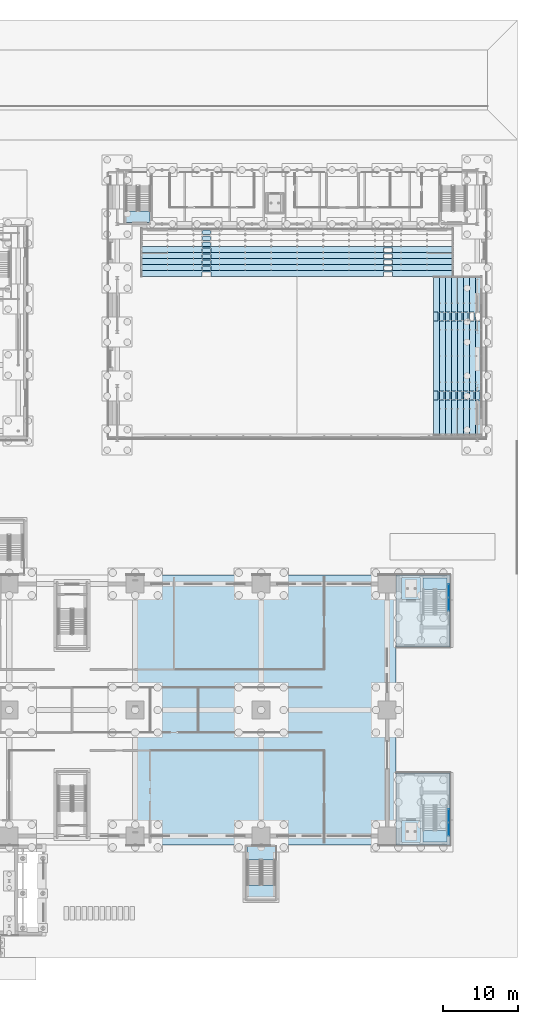
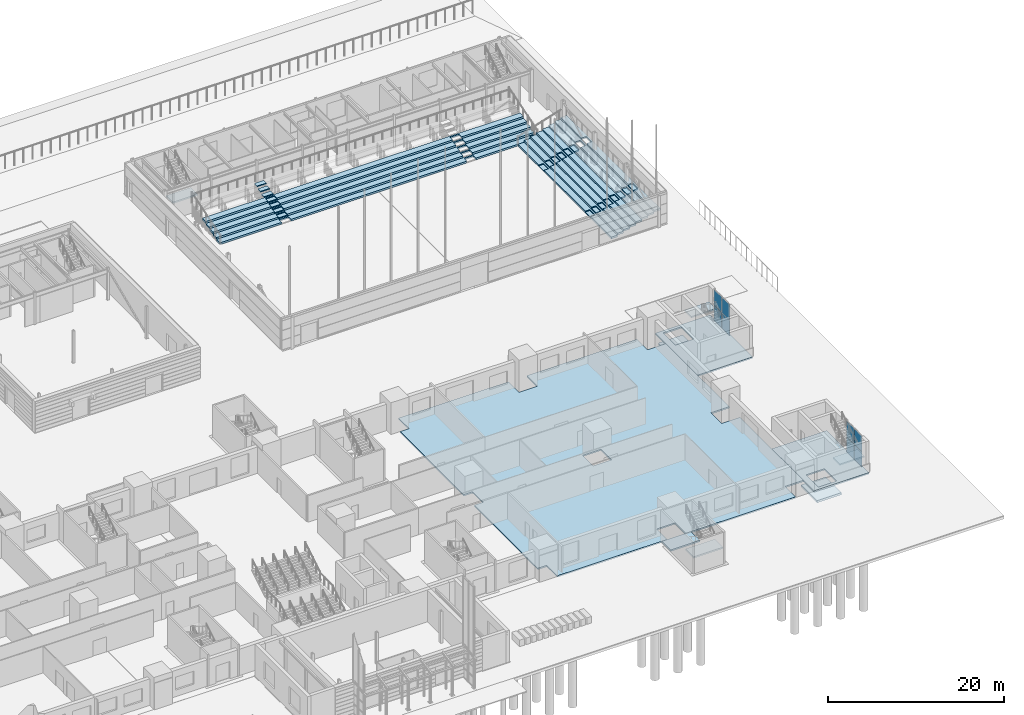
# One storey, part 75 of 139: 44 slabs, 8 plates, 6 elements without a shape of their own.
"""IFC4 building model written with IfcOpenShell, lengths in metres."""

import ifcopenshell
import ifcopenshell.guid

model = None  # the IFC model being written
_history = None  # IfcOwnerHistory: only IFC2X3 demands one
_inside = {}  # id of a spatial element -> (the spatial element, [elements in it])
_under = {}  # id of a project, library or spatial element -> (it, [spatial elements below it])
_declared = {}  # id of a project -> (the project, [libraries it declares])
_typed = {}  # id of a type object -> (the type object, [elements of that type])
_made_of = {}  # id of a material, layer set ... -> (it, [elements and type objects made of it])


def new_model(schema):
    """Start an empty IFC model of exactly this schema.

    Asked for "IFC4X3", IfcOpenShell would pick the latest addendum, in which some entities
    have other attributes; the version numbers below select the first issue.
    IFC2X3 requires an IfcOwnerHistory on every rooted entity: one is made here for all.
    """
    global model, _history
    if schema == "IFC4X3":
        model = ifcopenshell.file(schema_version=(4, 3, 0, 0))
    else:
        model = ifcopenshell.file(schema=schema)
    _inside.clear()
    _under.clear()
    _declared.clear()
    _typed.clear()
    _made_of.clear()
    _history = None
    if model.schema == "IFC2X3":
        org = make("IfcOrganization", Name="unknown")
        user = make(
            "IfcPersonAndOrganization",
            ThePerson=make("IfcPerson", FamilyName="unknown"),
            TheOrganization=org,
        )
        app = make(
            "IfcApplication",
            ApplicationDeveloper=org,
            Version="unknown",
            ApplicationFullName="unknown",
            ApplicationIdentifier="unknown",
        )
        _history = make(
            "IfcOwnerHistory",
            OwningUser=user,
            OwningApplication=app,
            ChangeAction="ADDED",
            CreationDate=0,
        )
    return model


def make(cls, **values):
    """One entity of the class cls with the attributes given. An attribute that is None is left unset."""
    return model.create_entity(
        cls, **{name: value for name, value in values.items() if value is not None}
    )


def rooted(cls, **values):
    """An entity with a GlobalId (a new one), such as an element, a storey or a relation."""
    return make(cls, GlobalId=ifcopenshell.guid.new(), OwnerHistory=_history, **values)


def si_unit(unit_type, name, prefix=None):
    """IfcSIUnit, for example si_unit("LENGTHUNIT", "METRE", prefix="MILLI")."""
    return make("IfcSIUnit", UnitType=unit_type, Prefix=prefix, Name=name)


def assignment(units):
    """IfcUnitAssignment: the units of a project."""
    return None if units is None else make("IfcUnitAssignment", Units=units)


def point(xyz):
    """IfcCartesianPoint."""
    return None if xyz is None else make("IfcCartesianPoint", Coordinates=xyz)


def direction(xyz):
    """IfcDirection."""
    return None if xyz is None else make("IfcDirection", DirectionRatios=xyz)


def frame(location, z_axis=None, x_axis=None):
    """IfcAxis2Placement3D, a coordinate frame: its origin and axes. An axis left out is left unset."""
    return make(
        "IfcAxis2Placement3D",
        Location=point(location),
        Axis=direction(z_axis),
        RefDirection=direction(x_axis),
    )


def frame_2d(location, x_axis=None):
    """IfcAxis2Placement2D, a coordinate frame in the plane: its origin and x axis."""
    return make(
        "IfcAxis2Placement2D", Location=point(location), RefDirection=direction(x_axis)
    )


def origin():
    """The frame at (0, 0, 0) with its axes left unset."""
    return frame((0.0, 0.0, 0.0))


def origin_2d():
    """The frame at (0, 0) in the plane with its x axis left unset."""
    return frame_2d((0.0, 0.0))


def place(relative_to, where):
    """IfcLocalPlacement: puts the frame where relative to a parent placement (None: the world)."""
    return make(
        "IfcLocalPlacement", PlacementRelTo=relative_to, RelativePlacement=where
    )


def context(
    kind, dimensions, precision=None, world=None, true_north=None, identifier=None
):
    """IfcGeometricRepresentationContext, for example the 3D "Model" context."""
    return make(
        "IfcGeometricRepresentationContext",
        ContextIdentifier=identifier,
        ContextType=kind,
        CoordinateSpaceDimension=dimensions,
        Precision=precision,
        WorldCoordinateSystem=world,
        TrueNorth=true_north,
    )


def subcontext(parent, identifier, kind, view, scale=None):
    """IfcGeometricRepresentationSubContext, for example "Body" below "Model"."""
    return make(
        "IfcGeometricRepresentationSubContext",
        ContextIdentifier=identifier,
        ContextType=kind,
        ParentContext=parent,
        TargetScale=scale,
        TargetView=view,
    )


def project(units=None, contexts=None):
    """IfcProject with its units and contexts."""
    return rooted(
        "IfcProject",
        Name="project",
        RepresentationContexts=contexts,
        UnitsInContext=assignment(units),
    )


def spatial(cls, under=None, at=None, **own):
    """A site, building, storey or space (cls), placed at a placement, below another one or the project."""
    s = rooted(cls, ObjectPlacement=at, **own)
    if under is not None:
        _under.setdefault(under.id(), (under, []))[1].append(s)
    return s


def polyline(points):
    """IfcPolyline through the points."""
    return make("IfcPolyline", Points=[point(p) for p in points])


def profile(cls, at=None, kind="AREA", **sizes):
    """A parametric profile (cls). Its sizes go by their IFC names, for example OverallWidth=200.0."""
    return make(cls, ProfileType=kind, Position=at, **sizes)


def rectangle(**sizes):
    """IfcRectangleProfileDef."""
    return profile("IfcRectangleProfileDef", **sizes)


def outline(outer, holes=None, kind="AREA"):
    """IfcArbitraryClosedProfileDef: a profile drawn as a closed curve; with holes, ...WithVoids."""
    if holes is None:
        return make("IfcArbitraryClosedProfileDef", ProfileType=kind, OuterCurve=outer)
    return make(
        "IfcArbitraryProfileDefWithVoids",
        ProfileType=kind,
        OuterCurve=outer,
        InnerCurves=holes,
    )


def extrude(swept, where, along, depth):
    """IfcExtrudedAreaSolid: the profile swept, set in the frame where, extruded along a direction by depth."""
    return make(
        "IfcExtrudedAreaSolid",
        SweptArea=swept,
        Position=where,
        ExtrudedDirection=direction(along),
        Depth=depth,
    )


def shape(context_of_items, identifier, shape_type, items):
    """IfcShapeRepresentation: the items that make up one representation, for example the "Body"."""
    return make(
        "IfcShapeRepresentation",
        ContextOfItems=context_of_items,
        RepresentationIdentifier=identifier,
        RepresentationType=shape_type,
        Items=items,
    )


def material(Name=None, Category=None):
    """IfcMaterial."""
    return make("IfcMaterial", Name=Name, Category=Category)


def layer(
    of_material, thickness, ventilated=None, Name=None, Category=None, Priority=None
):
    """IfcMaterialLayer: one layer of a wall or slab, of a material (None: an air gap)."""
    return make(
        "IfcMaterialLayer",
        Material=of_material,
        LayerThickness=thickness,
        IsVentilated=ventilated,
        Name=Name,
        Category=Category,
        Priority=Priority,
    )


def layer_set(layers, Name=None):
    """IfcMaterialLayerSet."""
    return make("IfcMaterialLayerSet", MaterialLayers=layers, LayerSetName=Name)


def made_of(thing, what):
    """Note that an element or type object is made of a material, layer set ...; save() writes the relation."""
    if what is not None:
        _made_of.setdefault(what.id(), (what, []))[1].append(thing)
    return thing


def type_object(cls, material=None, **own):
    """A type object (cls), such as IfcWallType, which elements share."""
    return made_of(rooted(cls, **own), material)


def element(
    cls,
    number,
    at=None,
    inside=None,
    cuts=None,
    type_object=None,
    material=None,
    context=None,
    identifier="Body",
    shape_type=None,
    held_by="IfcProductDefinitionShape",
    body=None,
    shapes=None,
    **own,
):
    """One element of the class cls, such as IfcWall. Its Tag is "e" and its number.

    at: its placement. inside: the storey or other place that contains it. cuts: it is an
    opening in that element (IfcRelVoidsElement). A single representation is given by context,
    identifier, shape_type and body (its items); several are given by shapes. held_by: the class
    of the entity that holds the representations. save() writes the other relations.
    """
    e = rooted(cls, Tag="e%d" % number, ObjectPlacement=at, **own)
    if body is not None:
        shapes = [shape(context, identifier, shape_type, body)]
    if shapes is not None:
        e.Representation = make(held_by, Representations=shapes)
    if inside is not None:
        _inside.setdefault(inside.id(), (inside, []))[1].append(e)
    if cuts is not None:
        rooted(
            "IfcRelVoidsElement", RelatingBuildingElement=cuts, RelatedOpeningElement=e
        )
    if type_object is not None:
        _typed.setdefault(type_object.id(), (type_object, []))[1].append(e)
    return made_of(e, material)


def aggregate(whole, parts):
    """IfcRelAggregates: a whole, such as a stair, and the parts it consists of."""
    return rooted("IfcRelAggregates", RelatingObject=whole, RelatedObjects=parts)


def save(model, path):
    """Write the relations noted so far, then the file.

    IfcRelAggregates (storeys below a building ...), IfcRelContainedInSpatialStructure (elements
    in a storey), IfcRelDefinesByType, IfcRelAssociatesMaterial and IfcRelDeclares: one each for
    every whole, place, type object, material and project.
    """
    for whole, parts in _under.values():
        aggregate(whole, parts)
    for where, things in _inside.values():
        rooted(
            "IfcRelContainedInSpatialStructure",
            RelatedElements=things,
            RelatingStructure=where,
        )
    for kind, things in _typed.values():
        rooted("IfcRelDefinesByType", RelatedObjects=things, RelatingType=kind)
    for what, things in _made_of.values():
        rooted("IfcRelAssociatesMaterial", RelatedObjects=things, RelatingMaterial=what)
    for by, libraries in _declared.values():
        rooted("IfcRelDeclares", RelatingContext=by, RelatedDefinitions=libraries)
    model.write(path)


model = new_model("IFC4")

# Units and contexts
model_context = context("Model", 3, precision=1e-05, world=origin(), true_north=direction((0.0, 1.0)))
body_context = subcontext(model_context, "Body", "Model", "MODEL_VIEW")
ifc_project = project(units=[si_unit("LENGTHUNIT", "METRE"), si_unit("AREAUNIT", "SQUARE_METRE"), si_unit("VOLUMEUNIT", "CUBIC_METRE"), si_unit("PLANEANGLEUNIT", "RADIAN"), si_unit("MASSUNIT", "GRAM", prefix="KILO")], contexts=[model_context])

# Site, building, storey
site_placement = place(None, origin())
site = spatial("IfcSite", under=ifc_project, at=site_placement, CompositionType="ELEMENT")
building_placement = place(site_placement, origin())
building = spatial("IfcBuilding", under=site, at=building_placement, Name="Verrick Yard Athletic Hall", CompositionType="ELEMENT")
storey_placement = place(building_placement, origin())
storey = spatial("IfcBuildingStorey", under=building, at=storey_placement, Name="L00", CompositionType="ELEMENT", Elevation=0.0)

# Curtain wall, plates
ifc_material_1 = material(Name="Aluminium 6063-T5", Category="aluminium")
curtain_wall_type = type_object("IfcCurtainWallType", Name="Core glazing strip", PredefinedType="NOTDEFINED", material=ifc_material_1)
curtain_wall_1_placement = place(storey_placement, origin())
curtain_wall_1 = element("IfcCurtainWall", 1, at=curtain_wall_1_placement, inside=storey, type_object=curtain_wall_type, Name="CORE-CB3-CW-L00", PredefinedType="NOTDEFINED")
ifc_material_2 = material(Name="Glass IGU low-e", Category="glass")
ifc_layer_1 = layer(ifc_material_2, 0.028076171875)
ifc_layer_set_1 = layer_set([ifc_layer_1], Name="Core glazing panel 28")
plate_type = type_object("IfcPlateType", Name="Core glazing panel 28", PredefinedType="CURTAIN_PANEL", material=ifc_layer_set_1)
plate_1_placement = place(storey_placement, frame((165.800048828125, 20.114990234375, 0.06005859375), z_axis=(0.0, 0.0, 1.0), x_axis=(0.0, 1.0, 0.0)))
plate_1 = element("IfcPlate", 2, at=plate_1_placement, type_object=plate_type, Name="CW5 panel 1.1", PredefinedType="CURTAIN_PANEL", context=body_context, shape_type="SweptSolid", body=[
    extrude(rectangle(XDim=1.7099609375, YDim=0.028076171875, at=origin_2d()), origin(), (0.0, 0.0, 1.0), 2.110107421875),
])
plate_2_placement = place(storey_placement, frame((165.800048828125, 20.114990234375, 2.22998046875), z_axis=(0.0, 0.0, 1.0), x_axis=(0.0, 1.0, 0.0)))
plate_2 = element("IfcPlate", 3, at=plate_2_placement, type_object=plate_type, Name="CW5 panel 1.2", PredefinedType="CURTAIN_PANEL", context=body_context, shape_type="SweptSolid", body=[
    extrude(rectangle(XDim=1.7099609375, YDim=0.028076171875, at=origin_2d()), origin(), (0.0, 0.0, 1.0), 2.110107421875),
])
plate_3_placement = place(storey_placement, frame((165.800048828125, 21.885009765625, 0.06005859375), z_axis=(0.0, 0.0, 1.0), x_axis=(0.0, 1.0, 0.0)))
plate_3 = element("IfcPlate", 4, at=plate_3_placement, type_object=plate_type, Name="CW5 panel 2.1", PredefinedType="CURTAIN_PANEL", context=body_context, shape_type="SweptSolid", body=[
    extrude(rectangle(XDim=1.7099609375, YDim=0.028076171875, at=origin_2d()), origin(), (0.0, 0.0, 1.0), 2.110107421875),
])
plate_4_placement = place(storey_placement, frame((165.800048828125, 21.885009765625, 2.22998046875), z_axis=(0.0, 0.0, 1.0), x_axis=(0.0, 1.0, 0.0)))
plate_4 = element("IfcPlate", 5, at=plate_4_placement, type_object=plate_type, Name="CW5 panel 2.2", PredefinedType="CURTAIN_PANEL", context=body_context, shape_type="SweptSolid", body=[
    extrude(rectangle(XDim=1.7099609375, YDim=0.028076171875, at=origin_2d()), origin(), (0.0, 0.0, 1.0), 2.110107421875),
])
aggregate(curtain_wall_1, [plate_1, plate_2, plate_3, plate_4])

curtain_wall_2_placement = place(storey_placement, origin())
curtain_wall_2 = element("IfcCurtainWall", 6, at=curtain_wall_2_placement, inside=storey, type_object=curtain_wall_type, Name="CORE-CB4-CW-L00", PredefinedType="NOTDEFINED")
plate_5_placement = place(storey_placement, frame((165.800048828125, 50.114990234375, 0.06005859375), z_axis=(0.0, 0.0, 1.0), x_axis=(0.0, 1.0, 0.0)))
plate_5 = element("IfcPlate", 7, at=plate_5_placement, type_object=plate_type, Name="CW5 panel 1.1", PredefinedType="CURTAIN_PANEL", context=body_context, shape_type="SweptSolid", body=[
    extrude(rectangle(XDim=1.7099609375, YDim=0.028076171875, at=origin_2d()), origin(), (0.0, 0.0, 1.0), 2.110107421875),
])
plate_6_placement = place(storey_placement, frame((165.800048828125, 50.114990234375, 2.22998046875), z_axis=(0.0, 0.0, 1.0), x_axis=(0.0, 1.0, 0.0)))
plate_6 = element("IfcPlate", 8, at=plate_6_placement, type_object=plate_type, Name="CW5 panel 1.2", PredefinedType="CURTAIN_PANEL", context=body_context, shape_type="SweptSolid", body=[
    extrude(rectangle(XDim=1.7099609375, YDim=0.028076171875, at=origin_2d()), origin(), (0.0, 0.0, 1.0), 2.110107421875),
])
plate_7_placement = place(storey_placement, frame((165.800048828125, 51.885009765625, 0.06005859375), z_axis=(0.0, 0.0, 1.0), x_axis=(0.0, 1.0, 0.0)))
plate_7 = element("IfcPlate", 9, at=plate_7_placement, type_object=plate_type, Name="CW5 panel 2.1", PredefinedType="CURTAIN_PANEL", context=body_context, shape_type="SweptSolid", body=[
    extrude(rectangle(XDim=1.7099609375, YDim=0.028076171875, at=origin_2d()), origin(), (0.0, 0.0, 1.0), 2.110107421875),
])
plate_8_placement = place(storey_placement, frame((165.800048828125, 51.885009765625, 2.22998046875), z_axis=(0.0, 0.0, 1.0), x_axis=(0.0, 1.0, 0.0)))
plate_8 = element("IfcPlate", 10, at=plate_8_placement, type_object=plate_type, Name="CW5 panel 2.2", PredefinedType="CURTAIN_PANEL", context=body_context, shape_type="SweptSolid", body=[
    extrude(rectangle(XDim=1.7099609375, YDim=0.028076171875, at=origin_2d()), origin(), (0.0, 0.0, 1.0), 2.110107421875),
])
aggregate(curtain_wall_2, [plate_5, plate_6, plate_7, plate_8])

# Slabs
ifc_material_3 = material(Name="Concrete 35 MPa", Category="concrete")
ifc_layer_2 = layer(ifc_material_3, 0.199951171875)
ifc_layer_set_2 = layer_set([ifc_layer_2], Name="Core ground slab 200")
slab_type_1 = type_object("IfcSlabType", Name="Core ground slab 200", PredefinedType="BASESLAB", material=ifc_layer_set_2)
slab_1_placement = place(storey_placement, frame((0.0, 0.0, -0.199951171875)))
element("IfcSlab", 11, at=slab_1_placement, inside=storey, type_object=slab_type_1, Name="CORE-CB3-FLR-L00", PredefinedType="BASESLAB", context=body_context, shape_type="SweptSolid", body=[
    extrude(outline(polyline([(158.800048828125, 18.0), (166.0, 18.0), (166.0, 27.60009765625), (158.800048828125, 27.60009765625), (158.800048828125, 18.0)]), holes=[polyline([(159.60302734375, 18.403076171875), (159.60302734375, 21.197021484375), (161.9970703125, 21.197021484375), (161.9970703125, 18.403076171875), (159.60302734375, 18.403076171875)])]), origin(), (0.0, 0.0, 1.0), 0.199951171875),
])
slab_2_placement = place(storey_placement, frame((0.0, 0.0, -0.199951171875)))
element("IfcSlab", 12, at=slab_2_placement, inside=storey, type_object=slab_type_1, Name="CORE-CB4-FLR-L00", PredefinedType="BASESLAB", context=body_context, shape_type="SweptSolid", body=[
    extrude(outline(polyline([(158.800048828125, 44.39990234375), (166.0, 44.39990234375), (166.0, 54.0), (158.800048828125, 54.0), (158.800048828125, 44.39990234375)]), holes=[polyline([(159.60302734375, 50.802978515625), (159.60302734375, 53.596923828125), (161.9970703125, 53.596923828125), (161.9970703125, 50.802978515625), (159.60302734375, 50.802978515625)])]), origin(), (0.0, 0.0, 1.0), 0.199951171875),
])
slab_3_placement = place(storey_placement, frame((0.0, 0.0, -0.199951171875)))
element("IfcSlab", 13, at=slab_3_placement, inside=storey, type_object=slab_type_1, Name="CORE-DT-S2-NL-L00", PredefinedType="BASESLAB", context=body_context, shape_type="SweptSolid", body=[
    extrude(outline(polyline([(138.89990234375, 18.0), (138.89990234375, 16.0), (142.699951171875, 16.0), (142.699951171875, 18.0), (138.89990234375, 18.0)])), origin(), (0.0, 0.0, 1.0), 0.199951171875),
])
ifc_layer_3 = layer(ifc_material_3, 0.125)
ifc_layer_set_3 = layer_set([ifc_layer_3], Name="HB seating aisle step 125")
slab_type_2 = type_object("IfcSlabType", Name="HB seating aisle step 125", PredefinedType="FLOOR", material=ifc_layer_set_3)
slab_4_placement = place(storey_placement, frame((0.0, 0.0, 0.25)))
element("IfcSlab", 14, at=slab_4_placement, inside=storey, type_object=slab_type_2, Name="Aisle step RSA1 aisle 1 row 2", PredefinedType="FLOOR", context=body_context, shape_type="SweptSolid", body=[
    extrude(outline(polyline([(132.896240234375, 94.60009765625), (134.09619140625, 94.60009765625), (134.09619140625, 95.199951171875), (132.896240234375, 95.199951171875), (132.896240234375, 94.60009765625)])), origin(), (0.0, 0.0, 1.0), 0.125),
])
slab_5_placement = place(storey_placement, frame((0.0, 0.0, 0.5)))
element("IfcSlab", 15, at=slab_5_placement, inside=storey, type_object=slab_type_2, Name="Aisle step RSA1 aisle 1 row 3", PredefinedType="FLOOR", context=body_context, shape_type="SweptSolid", body=[
    extrude(outline(polyline([(132.896240234375, 95.39990234375), (134.09619140625, 95.39990234375), (134.09619140625, 96.0), (132.896240234375, 96.0), (132.896240234375, 95.39990234375)])), origin(), (0.0, 0.0, 1.0), 0.125),
])
slab_6_placement = place(storey_placement, frame((0.0, 0.0, 0.75)))
element("IfcSlab", 16, at=slab_6_placement, inside=storey, type_object=slab_type_2, Name="Aisle step RSA1 aisle 1 row 4", PredefinedType="FLOOR", context=body_context, shape_type="SweptSolid", body=[
    extrude(outline(polyline([(132.896240234375, 96.199951171875), (134.09619140625, 96.199951171875), (134.09619140625, 96.800048828125), (132.896240234375, 96.800048828125), (132.896240234375, 96.199951171875)])), origin(), (0.0, 0.0, 1.0), 0.125),
])
slab_7_placement = place(storey_placement, frame((0.0, 0.0, 1.0)))
element("IfcSlab", 17, at=slab_7_placement, inside=storey, type_object=slab_type_2, Name="Aisle step RSA1 aisle 1 row 5", PredefinedType="FLOOR", context=body_context, shape_type="SweptSolid", body=[
    extrude(outline(polyline([(132.896240234375, 97.0), (134.09619140625, 97.0), (134.09619140625, 97.60009765625), (132.896240234375, 97.60009765625), (132.896240234375, 97.0)])), origin(), (0.0, 0.0, 1.0), 0.125),
])
slab_8_placement = place(storey_placement, frame((0.0, 0.0, 1.25)))
element("IfcSlab", 18, at=slab_8_placement, inside=storey, type_object=slab_type_2, Name="Aisle step RSA1 aisle 1 row 6", PredefinedType="FLOOR", context=body_context, shape_type="SweptSolid", body=[
    extrude(outline(polyline([(132.896240234375, 97.800048828125), (134.09619140625, 97.800048828125), (134.09619140625, 98.39990234375), (132.896240234375, 98.39990234375), (132.896240234375, 97.800048828125)])), origin(), (0.0, 0.0, 1.0), 0.125),
])
slab_9_placement = place(storey_placement, frame((0.0, 0.0, 1.5)))
element("IfcSlab", 19, at=slab_9_placement, inside=storey, type_object=slab_type_2, Name="Aisle step RSA1 aisle 1 row 7", PredefinedType="FLOOR", context=body_context, shape_type="SweptSolid", body=[
    extrude(outline(polyline([(132.896240234375, 98.60009765625), (134.09619140625, 98.60009765625), (134.09619140625, 99.199951171875), (132.896240234375, 99.199951171875), (132.896240234375, 98.60009765625)])), origin(), (0.0, 0.0, 1.0), 0.125),
])
slab_10_placement = place(storey_placement, frame((0.0, 0.0, 1.75)))
element("IfcSlab", 20, at=slab_10_placement, inside=storey, type_object=slab_type_2, Name="Aisle step RSA1 aisle 1 row 8", PredefinedType="FLOOR", context=body_context, shape_type="SweptSolid", body=[
    extrude(outline(polyline([(132.896240234375, 99.39990234375), (134.09619140625, 99.39990234375), (134.09619140625, 100.0), (132.896240234375, 100.0), (132.896240234375, 99.39990234375)])), origin(), (0.0, 0.0, 1.0), 0.125),
])
slab_11_placement = place(storey_placement, origin())
element("IfcSlab", 21, at=slab_11_placement, inside=storey, type_object=slab_type_2, Name="Aisle step RSA2 aisle 1 row 1", PredefinedType="FLOOR", context=body_context, shape_type="SweptSolid", body=[
    extrude(outline(polyline([(164.39990234375, 77.325439453125), (164.39990234375, 78.525390625), (163.800048828125, 78.525390625), (163.800048828125, 77.325439453125), (164.39990234375, 77.325439453125)])), origin(), (0.0, 0.0, 1.0), 0.125),
])
slab_12_placement = place(storey_placement, origin())
element("IfcSlab", 22, at=slab_12_placement, inside=storey, type_object=slab_type_2, Name="Aisle step RSA2 aisle 2 row 1", PredefinedType="FLOOR", context=body_context, shape_type="SweptSolid", body=[
    extrude(outline(polyline([(164.39990234375, 87.87451171875), (164.39990234375, 89.07470703125), (163.800048828125, 89.07470703125), (163.800048828125, 87.87451171875), (164.39990234375, 87.87451171875)])), origin(), (0.0, 0.0, 1.0), 0.125),
])
slab_13_placement = place(storey_placement, frame((0.0, 0.0, 0.25)))
element("IfcSlab", 23, at=slab_13_placement, inside=storey, type_object=slab_type_2, Name="Aisle step RSA2 aisle 1 row 2", PredefinedType="FLOOR", context=body_context, shape_type="SweptSolid", body=[
    extrude(outline(polyline([(165.199951171875, 77.325439453125), (165.199951171875, 78.525390625), (164.60009765625, 78.525390625), (164.60009765625, 77.325439453125), (165.199951171875, 77.325439453125)])), origin(), (0.0, 0.0, 1.0), 0.125),
])
slab_14_placement = place(storey_placement, frame((0.0, 0.0, 0.25)))
element("IfcSlab", 24, at=slab_14_placement, inside=storey, type_object=slab_type_2, Name="Aisle step RSA2 aisle 2 row 2", PredefinedType="FLOOR", context=body_context, shape_type="SweptSolid", body=[
    extrude(outline(polyline([(165.199951171875, 87.87451171875), (165.199951171875, 89.07470703125), (164.60009765625, 89.07470703125), (164.60009765625, 87.87451171875), (165.199951171875, 87.87451171875)])), origin(), (0.0, 0.0, 1.0), 0.125),
])
slab_15_placement = place(storey_placement, frame((0.0, 0.0, 0.5)))
element("IfcSlab", 25, at=slab_15_placement, inside=storey, type_object=slab_type_2, Name="Aisle step RSA2 aisle 1 row 3", PredefinedType="FLOOR", context=body_context, shape_type="SweptSolid", body=[
    extrude(outline(polyline([(166.0, 77.325439453125), (166.0, 78.525390625), (165.39990234375, 78.525390625), (165.39990234375, 77.325439453125), (166.0, 77.325439453125)])), origin(), (0.0, 0.0, 1.0), 0.125),
])
slab_16_placement = place(storey_placement, frame((0.0, 0.0, 0.5)))
element("IfcSlab", 26, at=slab_16_placement, inside=storey, type_object=slab_type_2, Name="Aisle step RSA2 aisle 2 row 3", PredefinedType="FLOOR", context=body_context, shape_type="SweptSolid", body=[
    extrude(outline(polyline([(166.0, 87.87451171875), (166.0, 89.07470703125), (165.39990234375, 89.07470703125), (165.39990234375, 87.87451171875), (166.0, 87.87451171875)])), origin(), (0.0, 0.0, 1.0), 0.125),
])
slab_17_placement = place(storey_placement, frame((0.0, 0.0, 0.75)))
element("IfcSlab", 27, at=slab_17_placement, inside=storey, type_object=slab_type_2, Name="Aisle step RSA2 aisle 1 row 4", PredefinedType="FLOOR", context=body_context, shape_type="SweptSolid", body=[
    extrude(outline(polyline([(166.800048828125, 77.325439453125), (166.800048828125, 78.525390625), (166.199951171875, 78.525390625), (166.199951171875, 77.325439453125), (166.800048828125, 77.325439453125)])), origin(), (0.0, 0.0, 1.0), 0.125),
])
slab_18_placement = place(storey_placement, frame((0.0, 0.0, 0.75)))
element("IfcSlab", 28, at=slab_18_placement, inside=storey, type_object=slab_type_2, Name="Aisle step RSA2 aisle 2 row 4", PredefinedType="FLOOR", context=body_context, shape_type="SweptSolid", body=[
    extrude(outline(polyline([(166.800048828125, 87.87451171875), (166.800048828125, 89.07470703125), (166.199951171875, 89.07470703125), (166.199951171875, 87.87451171875), (166.800048828125, 87.87451171875)])), origin(), (0.0, 0.0, 1.0), 0.125),
])
slab_19_placement = place(storey_placement, frame((0.0, 0.0, 1.0)))
element("IfcSlab", 29, at=slab_19_placement, inside=storey, type_object=slab_type_2, Name="Aisle step RSA2 aisle 1 row 5", PredefinedType="FLOOR", context=body_context, shape_type="SweptSolid", body=[
    extrude(outline(polyline([(167.60009765625, 77.325439453125), (167.60009765625, 78.525390625), (167.0, 78.525390625), (167.0, 77.325439453125), (167.60009765625, 77.325439453125)])), origin(), (0.0, 0.0, 1.0), 0.125),
])
slab_20_placement = place(storey_placement, frame((0.0, 0.0, 1.0)))
element("IfcSlab", 30, at=slab_20_placement, inside=storey, type_object=slab_type_2, Name="Aisle step RSA2 aisle 2 row 5", PredefinedType="FLOOR", context=body_context, shape_type="SweptSolid", body=[
    extrude(outline(polyline([(167.60009765625, 87.87451171875), (167.60009765625, 89.07470703125), (167.0, 89.07470703125), (167.0, 87.87451171875), (167.60009765625, 87.87451171875)])), origin(), (0.0, 0.0, 1.0), 0.125),
])
slab_21_placement = place(storey_placement, frame((0.0, 0.0, 1.25)))
element("IfcSlab", 31, at=slab_21_placement, inside=storey, type_object=slab_type_2, Name="Aisle step RSA2 aisle 1 row 6", PredefinedType="FLOOR", context=body_context, shape_type="SweptSolid", body=[
    extrude(outline(polyline([(168.39990234375, 77.325439453125), (168.39990234375, 78.525390625), (167.800048828125, 78.525390625), (167.800048828125, 77.325439453125), (168.39990234375, 77.325439453125)])), origin(), (0.0, 0.0, 1.0), 0.125),
])
slab_22_placement = place(storey_placement, frame((0.0, 0.0, 1.25)))
element("IfcSlab", 32, at=slab_22_placement, inside=storey, type_object=slab_type_2, Name="Aisle step RSA2 aisle 2 row 6", PredefinedType="FLOOR", context=body_context, shape_type="SweptSolid", body=[
    extrude(outline(polyline([(168.39990234375, 87.87451171875), (168.39990234375, 89.07470703125), (167.800048828125, 89.07470703125), (167.800048828125, 87.87451171875), (168.39990234375, 87.87451171875)])), origin(), (0.0, 0.0, 1.0), 0.125),
])
slab_23_placement = place(storey_placement, frame((0.0, 0.0, 1.5)))
element("IfcSlab", 33, at=slab_23_placement, inside=storey, type_object=slab_type_2, Name="Aisle step RSA2 aisle 1 row 7", PredefinedType="FLOOR", context=body_context, shape_type="SweptSolid", body=[
    extrude(outline(polyline([(169.199951171875, 77.325439453125), (169.199951171875, 78.525390625), (168.60009765625, 78.525390625), (168.60009765625, 77.325439453125), (169.199951171875, 77.325439453125)])), origin(), (0.0, 0.0, 1.0), 0.125),
])
slab_24_placement = place(storey_placement, frame((0.0, 0.0, 1.75)))
element("IfcSlab", 34, at=slab_24_placement, inside=storey, type_object=slab_type_2, Name="Aisle step RSA2 aisle 1 row 8", PredefinedType="FLOOR", context=body_context, shape_type="SweptSolid", body=[
    extrude(outline(polyline([(170.0, 77.325439453125), (170.0, 78.525390625), (169.39990234375, 78.525390625), (169.39990234375, 77.325439453125), (170.0, 77.325439453125)])), origin(), (0.0, 0.0, 1.0), 0.125),
])
ifc_layer_4 = layer(ifc_material_3, 0.25)
ifc_layer_set_4 = layer_set([ifc_layer_4], Name="HB seating tier 250")
slab_type_3 = type_object("IfcSlabType", Name="HB seating tier 250", PredefinedType="FLOOR", material=ifc_layer_set_4)
slab_25_placement = place(storey_placement, origin())
element("IfcSlab", 35, at=slab_25_placement, inside=storey, type_object=slab_type_3, Name="Retractable seating tier RSA1 row 1", PredefinedType="FLOOR", context=body_context, shape_type="SweptSolid", body=[
    extrude(outline(polyline([(124.800048828125, 93.800048828125), (132.896240234375, 93.800048828125), (132.896240234375, 94.39990234375), (134.09619140625, 94.39990234375), (134.09619140625, 93.800048828125), (157.103759765625, 93.800048828125), (157.103759765625, 94.39990234375), (158.3037109375, 94.39990234375), (158.3037109375, 93.800048828125), (166.39990234375, 93.800048828125), (166.39990234375, 94.60009765625), (124.800048828125, 94.60009765625), (124.800048828125, 93.800048828125)])), origin(), (0.0, 0.0, 1.0), 0.25),
])
slab_26_placement = place(storey_placement, frame((0.0, 0.0, 0.25)))
element("IfcSlab", 36, at=slab_26_placement, inside=storey, type_object=slab_type_3, Name="Retractable seating tier RSA1 row 2", PredefinedType="FLOOR", context=body_context, shape_type="SweptSolid", body=[
    extrude(outline(polyline([(124.800048828125, 94.60009765625), (132.896240234375, 94.60009765625), (132.896240234375, 95.199951171875), (134.09619140625, 95.199951171875), (134.09619140625, 94.60009765625), (157.103759765625, 94.60009765625), (157.103759765625, 95.199951171875), (158.3037109375, 95.199951171875), (158.3037109375, 94.60009765625), (166.39990234375, 94.60009765625), (166.39990234375, 95.39990234375), (124.800048828125, 95.39990234375), (124.800048828125, 94.60009765625)])), origin(), (0.0, 0.0, 1.0), 0.25),
])
slab_27_placement = place(storey_placement, frame((0.0, 0.0, 0.5)))
element("IfcSlab", 37, at=slab_27_placement, inside=storey, type_object=slab_type_3, Name="Retractable seating tier RSA1 row 3", PredefinedType="FLOOR", context=body_context, shape_type="SweptSolid", body=[
    extrude(outline(polyline([(124.800048828125, 95.39990234375), (132.896240234375, 95.39990234375), (132.896240234375, 96.0), (134.09619140625, 96.0), (134.09619140625, 95.39990234375), (157.103759765625, 95.39990234375), (157.103759765625, 96.0), (158.3037109375, 96.0), (158.3037109375, 95.39990234375), (166.39990234375, 95.39990234375), (166.39990234375, 96.199951171875), (124.800048828125, 96.199951171875), (124.800048828125, 95.39990234375)])), origin(), (0.0, 0.0, 1.0), 0.25),
])
slab_28_placement = place(storey_placement, frame((0.0, 0.0, 0.75)))
element("IfcSlab", 38, at=slab_28_placement, inside=storey, type_object=slab_type_3, Name="Retractable seating tier RSA1 row 4", PredefinedType="FLOOR", context=body_context, shape_type="SweptSolid", body=[
    extrude(outline(polyline([(124.800048828125, 96.199951171875), (132.896240234375, 96.199951171875), (132.896240234375, 96.800048828125), (134.09619140625, 96.800048828125), (134.09619140625, 96.199951171875), (157.103759765625, 96.199951171875), (157.103759765625, 96.800048828125), (158.3037109375, 96.800048828125), (158.3037109375, 96.199951171875), (166.39990234375, 96.199951171875), (166.39990234375, 97.0), (124.800048828125, 97.0), (124.800048828125, 96.199951171875)])), origin(), (0.0, 0.0, 1.0), 0.25),
])
slab_29_placement = place(storey_placement, frame((0.0, 0.0, 1.0)))
element("IfcSlab", 39, at=slab_29_placement, inside=storey, type_object=slab_type_3, Name="Retractable seating tier RSA1 row 5", PredefinedType="FLOOR", context=body_context, shape_type="SweptSolid", body=[
    extrude(outline(polyline([(124.800048828125, 97.0), (132.896240234375, 97.0), (132.896240234375, 97.60009765625), (134.09619140625, 97.60009765625), (134.09619140625, 97.0), (157.103759765625, 97.0), (157.103759765625, 97.60009765625), (158.3037109375, 97.60009765625), (158.3037109375, 97.0), (166.39990234375, 97.0), (166.39990234375, 97.800048828125), (124.800048828125, 97.800048828125), (124.800048828125, 97.0)])), origin(), (0.0, 0.0, 1.0), 0.25),
])
slab_30_placement = place(storey_placement, origin())
element("IfcSlab", 40, at=slab_30_placement, inside=storey, type_object=slab_type_3, Name="Retractable seating tier RSA2 row 1", PredefinedType="FLOOR", context=body_context, shape_type="SweptSolid", body=[
    extrude(outline(polyline([(164.60009765625, 72.60009765625), (164.60009765625, 93.800048828125), (163.800048828125, 93.800048828125), (163.800048828125, 89.07470703125), (164.39990234375, 89.07470703125), (164.39990234375, 87.87451171875), (163.800048828125, 87.87451171875), (163.800048828125, 78.525390625), (164.39990234375, 78.525390625), (164.39990234375, 77.325439453125), (163.800048828125, 77.325439453125), (163.800048828125, 72.60009765625), (164.60009765625, 72.60009765625)])), origin(), (0.0, 0.0, 1.0), 0.25),
])
slab_31_placement = place(storey_placement, frame((0.0, 0.0, 0.25)))
element("IfcSlab", 41, at=slab_31_placement, inside=storey, type_object=slab_type_3, Name="Retractable seating tier RSA2 row 2", PredefinedType="FLOOR", context=body_context, shape_type="SweptSolid", body=[
    extrude(outline(polyline([(165.39990234375, 72.60009765625), (165.39990234375, 93.800048828125), (164.60009765625, 93.800048828125), (164.60009765625, 89.07470703125), (165.199951171875, 89.07470703125), (165.199951171875, 87.87451171875), (164.60009765625, 87.87451171875), (164.60009765625, 78.525390625), (165.199951171875, 78.525390625), (165.199951171875, 77.325439453125), (164.60009765625, 77.325439453125), (164.60009765625, 72.60009765625), (165.39990234375, 72.60009765625)])), origin(), (0.0, 0.0, 1.0), 0.25),
])
slab_32_placement = place(storey_placement, frame((0.0, 0.0, 0.5)))
element("IfcSlab", 42, at=slab_32_placement, inside=storey, type_object=slab_type_3, Name="Retractable seating tier RSA2 row 3", PredefinedType="FLOOR", context=body_context, shape_type="SweptSolid", body=[
    extrude(outline(polyline([(166.199951171875, 72.60009765625), (166.199951171875, 93.800048828125), (165.39990234375, 93.800048828125), (165.39990234375, 89.07470703125), (166.0, 89.07470703125), (166.0, 87.87451171875), (165.39990234375, 87.87451171875), (165.39990234375, 78.525390625), (166.0, 78.525390625), (166.0, 77.325439453125), (165.39990234375, 77.325439453125), (165.39990234375, 72.60009765625), (166.199951171875, 72.60009765625)])), origin(), (0.0, 0.0, 1.0), 0.25),
])
slab_33_placement = place(storey_placement, frame((0.0, 0.0, 0.75)))
element("IfcSlab", 43, at=slab_33_placement, inside=storey, type_object=slab_type_3, Name="Retractable seating tier RSA2 row 4", PredefinedType="FLOOR", context=body_context, shape_type="SweptSolid", body=[
    extrude(outline(polyline([(167.0, 72.60009765625), (167.0, 93.800048828125), (166.199951171875, 93.800048828125), (166.199951171875, 89.07470703125), (166.800048828125, 89.07470703125), (166.800048828125, 87.87451171875), (166.199951171875, 87.87451171875), (166.199951171875, 78.525390625), (166.800048828125, 78.525390625), (166.800048828125, 77.325439453125), (166.199951171875, 77.325439453125), (166.199951171875, 72.60009765625), (167.0, 72.60009765625)])), origin(), (0.0, 0.0, 1.0), 0.25),
])
slab_34_placement = place(storey_placement, frame((0.0, 0.0, 1.0)))
element("IfcSlab", 44, at=slab_34_placement, inside=storey, type_object=slab_type_3, Name="Retractable seating tier RSA2 row 5", PredefinedType="FLOOR", context=body_context, shape_type="SweptSolid", body=[
    extrude(outline(polyline([(167.800048828125, 72.60009765625), (167.800048828125, 93.800048828125), (167.0, 93.800048828125), (167.0, 89.07470703125), (167.60009765625, 89.07470703125), (167.60009765625, 87.87451171875), (167.0, 87.87451171875), (167.0, 78.525390625), (167.60009765625, 78.525390625), (167.60009765625, 77.325439453125), (167.0, 77.325439453125), (167.0, 72.60009765625), (167.800048828125, 72.60009765625)])), origin(), (0.0, 0.0, 1.0), 0.25),
])
slab_35_placement = place(storey_placement, frame((0.0, 0.0, 1.25)))
element("IfcSlab", 45, at=slab_35_placement, inside=storey, type_object=slab_type_3, Name="Retractable seating tier RSA2 row 6", PredefinedType="FLOOR", context=body_context, shape_type="SweptSolid", body=[
    extrude(outline(polyline([(168.60009765625, 72.60009765625), (168.60009765625, 93.800048828125), (167.800048828125, 93.800048828125), (167.800048828125, 89.07470703125), (168.39990234375, 89.07470703125), (168.39990234375, 87.87451171875), (167.800048828125, 87.87451171875), (167.800048828125, 78.525390625), (168.39990234375, 78.525390625), (168.39990234375, 77.325439453125), (167.800048828125, 77.325439453125), (167.800048828125, 72.60009765625), (168.60009765625, 72.60009765625)])), origin(), (0.0, 0.0, 1.0), 0.25),
])
slab_36_placement = place(storey_placement, frame((0.0, 0.0, 1.5)))
element("IfcSlab", 46, at=slab_36_placement, inside=storey, type_object=slab_type_3, Name="Retractable seating tier RSA2 row 7", PredefinedType="FLOOR", context=body_context, shape_type="SweptSolid", body=[
    extrude(outline(polyline([(169.39990234375, 72.60009765625), (169.39990234375, 93.800048828125), (168.60009765625, 93.800048828125), (168.60009765625, 89.07470703125), (169.199951171875, 89.07470703125), (169.199951171875, 87.87451171875), (168.60009765625, 87.87451171875), (168.60009765625, 78.525390625), (169.199951171875, 78.525390625), (169.199951171875, 77.325439453125), (168.60009765625, 77.325439453125), (168.60009765625, 72.60009765625), (169.39990234375, 72.60009765625)])), origin(), (0.0, 0.0, 1.0), 0.25),
])
slab_37_placement = place(storey_placement, frame((0.0, 0.0, 1.75)))
element("IfcSlab", 47, at=slab_37_placement, inside=storey, type_object=slab_type_3, Name="Retractable seating tier RSA2 row 8", PredefinedType="FLOOR", context=body_context, shape_type="SweptSolid", body=[
    extrude(outline(polyline([(170.199951171875, 72.60009765625), (170.199951171875, 93.800048828125), (169.39990234375, 93.800048828125), (169.39990234375, 89.07470703125), (170.0, 89.07470703125), (170.0, 87.87451171875), (169.39990234375, 87.87451171875), (169.39990234375, 78.525390625), (170.0, 78.525390625), (170.0, 77.325439453125), (169.39990234375, 77.325439453125), (169.39990234375, 72.60009765625), (170.199951171875, 72.60009765625)])), origin(), (0.0, 0.0, 1.0), 0.25),
])
ifc_layer_5 = layer(ifc_material_3, 0.300048828125)
ifc_layer_set_5 = layer_set([ifc_layer_5], Name="Lift pit slab 300")
slab_type_4 = type_object("IfcSlabType", Name="Lift pit slab 300", PredefinedType="BASESLAB", material=ifc_layer_set_5)
slab_38_placement = place(storey_placement, frame((0.0, 0.0, -1.800048828125)))
element("IfcSlab", 48, at=slab_38_placement, inside=storey, type_object=slab_type_4, Name="CORE-LF-CB3-PIT", PredefinedType="BASESLAB", context=body_context, shape_type="SweptSolid", body=[
    extrude(outline(polyline([(159.199951171875, 18.0), (162.39990234375, 18.0), (162.39990234375, 21.60009765625), (159.199951171875, 21.60009765625), (159.199951171875, 18.0)])), origin(), (0.0, 0.0, 1.0), 0.300048828125),
])
slab_39_placement = place(storey_placement, frame((0.0, 0.0, -1.800048828125)))
element("IfcSlab", 49, at=slab_39_placement, inside=storey, type_object=slab_type_4, Name="CORE-LF-CB4-PIT", PredefinedType="BASESLAB", context=body_context, shape_type="SweptSolid", body=[
    extrude(outline(polyline([(159.199951171875, 50.39990234375), (162.39990234375, 50.39990234375), (162.39990234375, 54.0), (159.199951171875, 54.0), (159.199951171875, 50.39990234375)])), origin(), (0.0, 0.0, 1.0), 0.300048828125),
])
ifc_layer_6 = layer(ifc_material_3, 0.199951171875)
ifc_layer_set_6 = layer_set([ifc_layer_6], Name="STR Ground slab SL1")
slab_type_5 = type_object("IfcSlabType", Name="STR Ground slab SL1", PredefinedType="BASESLAB", material=ifc_layer_set_6)
slab_40_placement = place(storey_placement, frame((0.0, 0.0, -0.199951171875)))
element("IfcSlab", 50, at=slab_40_placement, inside=storey, type_object=slab_type_5, Name="STR-SL-G-plinth-Z3-1", PredefinedType="BASESLAB", context=body_context, shape_type="SweptSolid", body=[
    extrude(outline(polyline([(158.800048828125, 20.39990234375), (158.800048828125, 34.800048828125), (156.39990234375, 34.800048828125), (156.39990234375, 37.199951171875), (158.800048828125, 37.199951171875), (158.800048828125, 51.60009765625), (156.39990234375, 51.60009765625), (156.39990234375, 54.0), (142.0, 54.0), (142.0, 51.60009765625), (139.60009765625, 51.60009765625), (139.60009765625, 54.0), (125.199951171875, 54.0), (125.199951171875, 51.60009765625), (124.02490234375, 51.60009765625), (124.02490234375, 37.199951171875), (125.199951171875, 37.199951171875), (125.199951171875, 34.800048828125), (124.02490234375, 34.800048828125), (124.02490234375, 20.39990234375), (125.199951171875, 20.39990234375), (125.199951171875, 18.0), (139.60009765625, 18.0), (139.60009765625, 20.39990234375), (142.0, 20.39990234375), (142.0, 18.0), (156.39990234375, 18.0), (156.39990234375, 20.39990234375), (158.800048828125, 20.39990234375)]), holes=[polyline([(139.60009765625, 37.199951171875), (142.0, 37.199951171875), (142.0, 34.800048828125), (139.60009765625, 34.800048828125), (139.60009765625, 37.199951171875)])]), origin(), (0.0, 0.0, 1.0), 0.199951171875),
])

# Stair, slab
stair_type_1 = type_object("IfcStairType", Name="Stair ST1 1500 wide 26 risers", PredefinedType="HALF_TURN_STAIR", material=ifc_material_3)
stair_1_placement = place(storey_placement, origin())
stair_1 = element("IfcStair", 51, at=stair_1_placement, inside=storey, type_object=stair_type_1, Name="Plinth south-east stair L00", PredefinedType="HALF_TURN_STAIR")
ifc_layer_7 = layer(ifc_material_3, 0.199951171875)
ifc_layer_set_7 = layer_set([ifc_layer_7], Name="Stair landing slab 200")
slab_type_6 = type_object("IfcSlabType", Name="Stair landing slab 200", PredefinedType="LANDING", material=ifc_layer_set_7)
slab_41_placement = place(storey_placement, frame((0.0, 0.0, 2.0)))
slab_41 = element("IfcSlab", 52, at=slab_41_placement, type_object=slab_type_6, Name="ST1 landing 1", PredefinedType="LANDING", context=body_context, shape_type="SweptSolid", body=[
    extrude(outline(polyline([(162.39990234375, 19.93994140625), (162.39990234375, 18.39990234375), (165.60009765625, 18.39990234375), (165.60009765625, 19.93994140625), (162.39990234375, 19.93994140625)])), origin(), (0.0, 0.0, 1.0), 0.199951171875),
])
aggregate(stair_1, [slab_41])

stair_2_placement = place(storey_placement, origin())
stair_2 = element("IfcStair", 53, at=stair_2_placement, inside=storey, type_object=stair_type_1, Name="Plinth north-east stair L00", PredefinedType="HALF_TURN_STAIR")
slab_42_placement = place(storey_placement, frame((0.0, 0.0, 2.0)))
slab_42 = element("IfcSlab", 54, at=slab_42_placement, type_object=slab_type_6, Name="ST1 landing 1", PredefinedType="LANDING", context=body_context, shape_type="SweptSolid", body=[
    extrude(outline(polyline([(165.60009765625, 52.06005859375), (165.60009765625, 53.60009765625), (162.39990234375, 53.60009765625), (162.39990234375, 52.06005859375), (165.60009765625, 52.06005859375)])), origin(), (0.0, 0.0, 1.0), 0.199951171875),
])
aggregate(stair_2, [slab_42])

stair_type_2 = type_object("IfcStairType", Name="Stair ST3 1800 wide 26 risers", PredefinedType="HALF_TURN_STAIR", material=ifc_material_3)
stair_3_placement = place(storey_placement, origin())
stair_3 = element("IfcStair", 55, at=stair_3_placement, inside=storey, type_object=stair_type_2, Name="South deck escape 2 stair L00", PredefinedType="HALF_TURN_STAIR")
slab_43_placement = place(storey_placement, frame((0.0, 0.0, 2.0)))
slab_43 = element("IfcSlab", 56, at=slab_43_placement, type_object=slab_type_6, Name="ST3 landing 1", PredefinedType="LANDING", context=body_context, shape_type="SweptSolid", body=[
    extrude(outline(polyline([(138.89990234375, 12.639892578125), (138.89990234375, 10.800048828125), (142.699951171875, 10.800048828125), (142.699951171875, 12.639892578125), (138.89990234375, 12.639892578125)])), origin(), (0.0, 0.0, 1.0), 0.199951171875),
])
aggregate(stair_3, [slab_43])

stair_4_placement = place(storey_placement, origin())
stair_4 = element("IfcStair", 57, at=stair_4_placement, inside=storey, type_object=stair_type_1, Name="Sports Hall A west band stair L00", PredefinedType="HALF_TURN_STAIR")
slab_44_placement = place(storey_placement, frame((0.0, 0.0, 2.0)))
slab_44 = element("IfcSlab", 58, at=slab_44_placement, type_object=slab_type_6, Name="ST1 landing 1", PredefinedType="LANDING", context=body_context, shape_type="SweptSolid", body=[
    extrude(outline(polyline([(122.800048828125, 102.514892578125), (122.800048828125, 101.0), (126.0, 101.0), (126.0, 102.514892578125), (122.800048828125, 102.514892578125)])), origin(), (0.0, 0.0, 1.0), 0.199951171875),
])
aggregate(stair_4, [slab_44])

save(model, "model.ifc")
